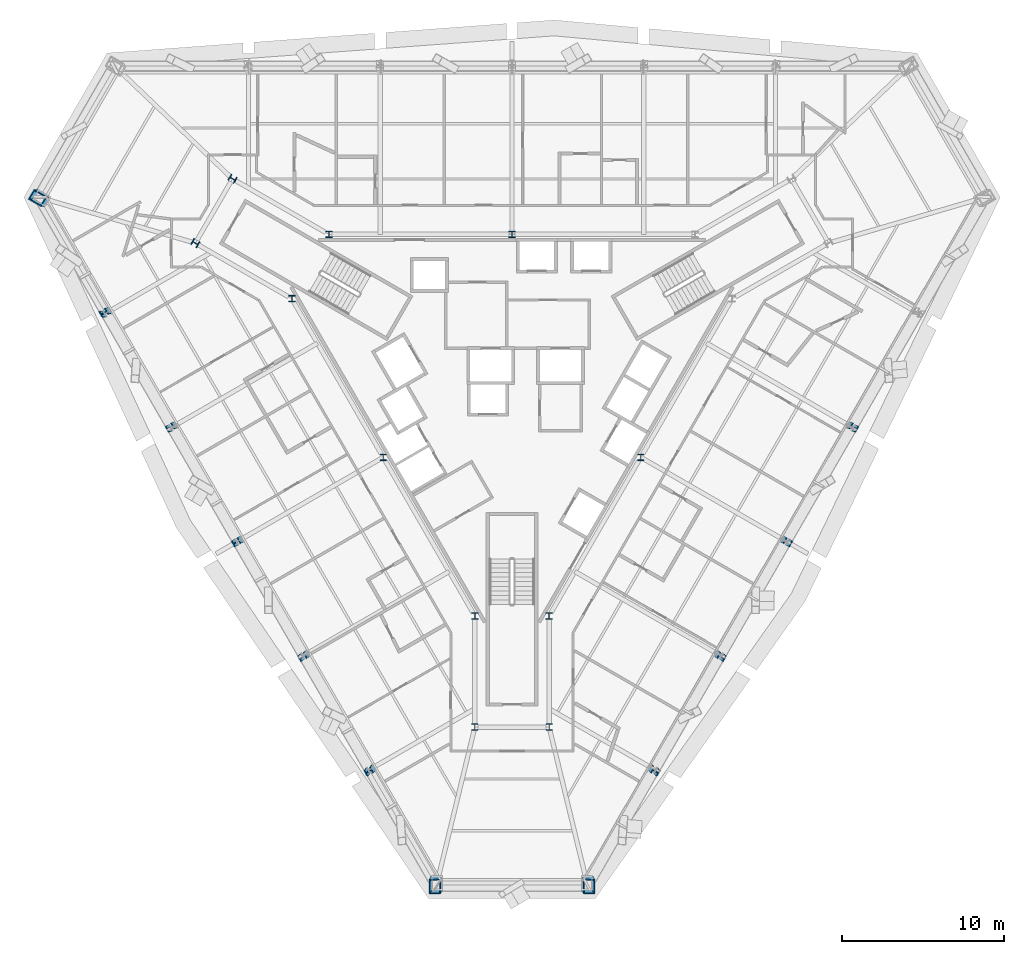
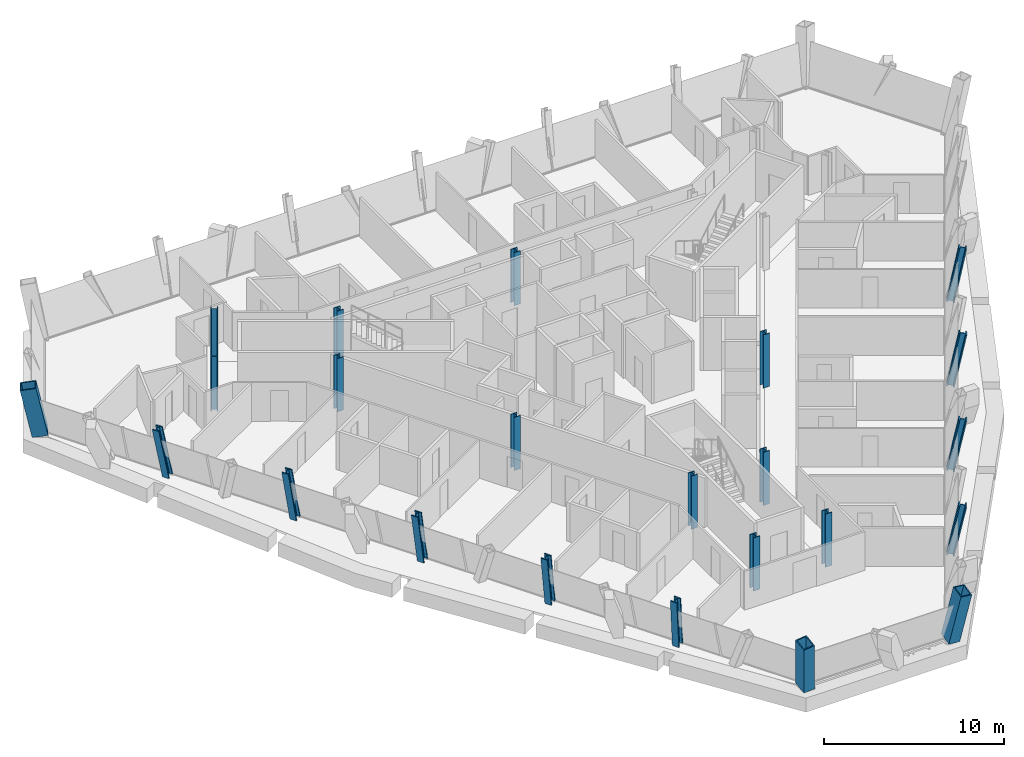
# One storey, part 1 of 14: 23 columns.
"""IFC4 building model written with IfcOpenShell, lengths in metres."""

from ifc_helpers import new_model, si_unit, direction, frame, origin, origin_2d, place, context, subcontext, project, spatial, hollow_rectangle, i_section, extrude, material, material_profile, profile_set, type_object, element, save


model = new_model("IFC4")

# Units and contexts
model_context = context("Model", 3, precision=1e-05, world=origin(), true_north=direction((0.0, 1.0)))
body_context = subcontext(model_context, "Body", "Model", "MODEL_VIEW")
ifc_project = project(units=[si_unit("LENGTHUNIT", "METRE"), si_unit("AREAUNIT", "SQUARE_METRE"), si_unit("VOLUMEUNIT", "CUBIC_METRE"), si_unit("PLANEANGLEUNIT", "RADIAN"), si_unit("MASSUNIT", "GRAM", prefix="KILO")], contexts=[model_context])

# Site, building, storey
site_placement = place(None, origin())
site = spatial("IfcSite", under=ifc_project, at=site_placement, CompositionType="ELEMENT")
building_placement = place(site_placement, origin())
building = spatial("IfcBuilding", under=site, at=building_placement, Name="Verrane Prism Tower", CompositionType="ELEMENT")
storey_placement = place(building_placement, frame((0.0, 0.0, 128.800048828125)))
storey = spatial("IfcBuildingStorey", under=building, at=storey_placement, Name="L31", CompositionType="ELEMENT", Elevation=128.800048828125)

# Columns
ifc_material_1 = material(Name="Steel A992", Category="steel")
ifc_material_profile_1 = material_profile(ifc_material_1, i_section(OverallWidth=0.411376953125, OverallDepth=0.434326171875, WebThickness=0.035888671875, FlangeThickness=0.057373046875, FilletRadius=0.01513671875, at=origin_2d()), Name="W14x311")
ifc_profile_set_1 = profile_set([ifc_material_profile_1], Name="Steel A992")
column_type_1 = type_object("IfcColumnType", Name="Core corner column W14x311", PredefinedType="COLUMN", material=ifc_profile_set_1)
for number, where, z_axis, x_axis, name in (
    (1, (-17.300048828125, 12.639892578125, 0.0), (0.0, 0.0, 1.0), (0.5, 0.866025403784, 0.0), "Core corner column CK-NWm L31"),
    (2, (-19.60009765625, 8.659912109375, 0.0), (0.0, 0.0, 1.0), (0.5, 0.866025403784, 0.0), "Core corner column CK-NWp L31"),
    (3, (-2.300048828125, -21.300048828125, 0.0), (0.0, 0.0, 1.0), (-1.0, 0.0, 0.0), "Core corner column CK-Sm L31"),
    (4, (2.300048828125, -21.300048828125, 0.0), (0.0, 0.0, 1.0), (-1.0, 0.0, 0.0), "Core corner column CK-Sp L31"),
):
    element("IfcColumn", number, at=place(storey_placement, frame(where, z_axis=z_axis, x_axis=x_axis)), inside=storey, type_object=column_type_1, Name=name, PredefinedType="COLUMN", context=body_context, shape_type="SweptSolid", body=[
        extrude(i_section(OverallWidth=0.411376953125, OverallDepth=0.434326171875, WebThickness=0.035888671875, FlangeThickness=0.057373046875, FilletRadius=0.01513671875, at=origin_2d()), origin(), (0.0, 0.0, 1.0), 3.599853515625),
    ])
ifc_material_2 = material(Name="Steel A992", Category="steel")
ifc_material_profile_2 = material_profile(ifc_material_2, i_section(OverallWidth=0.4013671875, OverallDepth=0.398681640625, WebThickness=0.02490234375, FlangeThickness=0.03955078125, FilletRadius=0.01513671875, at=origin_2d()), Name="W14x211")
ifc_profile_set_2 = profile_set([ifc_material_profile_2], Name="Steel A992")
column_type_2 = type_object("IfcColumnType", Name="Core side column W14x211", PredefinedType="COLUMN", material=ifc_profile_set_2)
for number, where, z_axis, x_axis, name in (
    (5, (0.0, 9.199951171875, 0.0), (0.0, 0.0, 1.0), (1.0, 0.0, 0.0), "Core side column CC-N0 L31"),
    (6, (-11.330078125, 9.199951171875, 0.0), (0.0, 0.0, 1.0), (1.0, 0.0, 0.0), "Core side column CC-NWm L31"),
    (7, (-13.6298828125, 5.219970703125, 0.0), (0.0, 0.0, 1.0), (1.0, 0.0, 0.0), "Core side column CC-NWp L31"),
    (8, (-7.969970703125, -4.60009765625, 0.0), (0.0, 0.0, 1.0), (1.0, 0.0, 0.0), "Core side column CC-SW0 L31"),
    (9, (-2.300048828125, -14.419921875, 0.0), (0.0, 0.0, 1.0), (1.0, 0.0, 0.0), "Core side column CC-Sm L31"),
    (10, (2.300048828125, -14.419921875, 0.0), (0.0, 0.0, 1.0), (1.0, 0.0, 0.0), "Core side column CC-Sp L31"),
    (11, (7.969970703125, -4.60009765625, 0.0), (0.0, 0.0, 1.0), (1.0, 0.0, 0.0), "Core side column CC-SE0 L31"),
):
    element("IfcColumn", number, at=place(storey_placement, frame(where, z_axis=z_axis, x_axis=x_axis)), inside=storey, type_object=column_type_2, Name=name, PredefinedType="COLUMN", context=body_context, shape_type="SweptSolid", body=[
        extrude(i_section(OverallWidth=0.4013671875, OverallDepth=0.398681640625, WebThickness=0.02490234375, FlangeThickness=0.03955078125, FilletRadius=0.01513671875, at=origin_2d()), origin(), (0.0, 0.0, 1.0), 3.599853515625),
    ])
ifc_material_3 = material(Name="Steel A572 Grade 50", Category="steel")
ifc_material_profile_3 = material_profile(ifc_material_3, hollow_rectangle(XDim=0.699951171875, YDim=0.89990234375, WallThickness=0.06494140625, at=origin_2d()), Name="BOX 900x700x65")
ifc_profile_set_3 = profile_set([ifc_material_profile_3], Name="Steel A572 Grade 50")
column_type_3 = type_object("IfcColumnType", Name="Megacolumn BOX 900x700x65", PredefinedType="COLUMN", material=ifc_profile_set_3)
column_1_placement = place(storey_placement, frame((-29.126953125, 11.449951171875, 0.074951171875), z_axis=(-0.219480980807, 0.0, 0.975616778794), x_axis=(0.496869692208, 0.860596286786, 0.111778978949)))
element("IfcColumn", 12, at=column_1_placement, inside=storey, type_object=column_type_3, Name="Megacolumn MC-NW.b L31", PredefinedType="COLUMN", context=body_context, shape_type="SweptSolid", body=[
    extrude(hollow_rectangle(XDim=0.699951171875, YDim=0.89990234375, WallThickness=0.06494140625, at=origin_2d()), origin(), (0.0, 0.0, 1.0), 3.5361328125),
])
for number, where, z_axis, x_axis, name in (
    (13, (-4.6484375, -30.95458984375, 0.074951171875), (-0.111145878735, -0.189707375629, 0.975529448696), (-0.993574797594, 0.000126172199, -0.113177319576), "Megacolumn MC-S.a L31"),
    (14, (4.6484375, -30.95458984375, 0.074951171875), (0.111145878735, -0.189707375629, 0.975529448696), (-0.993574797594, -0.000126172199, 0.113177319576), "Megacolumn MC-S.b L31"),
):
    element("IfcColumn", number, at=place(storey_placement, frame(where, z_axis=z_axis, x_axis=x_axis)), inside=storey, type_object=column_type_3, Name=name, PredefinedType="COLUMN", context=body_context, shape_type="SweptSolid", body=[
        extrude(hollow_rectangle(XDim=0.699951171875, YDim=0.89990234375, WallThickness=0.06494140625, at=origin_2d()), origin(), (0.0, 0.0, 1.0), 3.536376953125),
    ])
ifc_material_4 = material(Name="Steel A992", Category="steel")
ifc_material_profile_4 = material_profile(ifc_material_4, i_section(OverallWidth=0.419189453125, OverallDepth=0.45458984375, WebThickness=0.042236328125, FlangeThickness=0.067626953125, FilletRadius=0.01513671875, at=origin_2d()), Name="W14x370")
ifc_profile_set_4 = profile_set([ifc_material_profile_4], Name="Steel A992")
column_type_4 = type_object("IfcColumnType", Name="Perimeter column W14x370", PredefinedType="COLUMN", material=ifc_profile_set_4)
column_2_placement = place(storey_placement, frame((-25.048095703125, 4.37890625, 0.0400390625), z_axis=(-0.201275064079, -0.029946795971, 0.979076880531), x_axis=(-0.498664123801, 0.863447944319, -0.076103476176)))
element("IfcColumn", 15, at=column_2_placement, inside=storey, type_object=column_type_4, Name="Perimeter column PC-SW1 L31", PredefinedType="COLUMN", context=body_context, shape_type="SweptSolid", body=[
    extrude(i_section(OverallWidth=0.419189453125, OverallDepth=0.45458984375, WebThickness=0.042236328125, FlangeThickness=0.067626953125, FilletRadius=0.01513671875, at=origin_2d()), origin(), (0.0, 0.0, 1.0), 3.59521484375),
])
column_3_placement = place(storey_placement, frame((-20.96728515625, -2.6826171875, 0.0400390625), z_axis=(-0.18265232026, -0.062676150134, 0.981177777015), x_axis=(-0.499535766842, 0.865472257466, -0.037706620133)))
element("IfcColumn", 16, at=column_3_placement, inside=storey, type_object=column_type_4, Name="Perimeter column PC-SW2 L31", PredefinedType="COLUMN", context=body_context, shape_type="SweptSolid", body=[
    extrude(i_section(OverallWidth=0.419189453125, OverallDepth=0.45458984375, WebThickness=0.042236328125, FlangeThickness=0.067626953125, FilletRadius=0.01513671875, at=origin_2d()), origin(), (0.0, 0.0, 1.0), 3.587646484375),
])
column_4_placement = place(storey_placement, frame((-16.885986328125, -9.743408203125, 0.034912109375), z_axis=(-0.166257050151, -0.0981255896, 0.981188035975), x_axis=(-0.500024449769, 0.866009245638, 0.001880452815)))
element("IfcColumn", 17, at=column_4_placement, inside=storey, type_object=column_type_4, Name="Perimeter column PC-SW3 L31", PredefinedType="COLUMN", context=body_context, shape_type="SweptSolid", body=[
    extrude(i_section(OverallWidth=0.419189453125, OverallDepth=0.45458984375, WebThickness=0.042236328125, FlangeThickness=0.067626953125, FilletRadius=0.01513671875, at=origin_2d()), origin(), (0.0, 0.0, 1.0), 3.59765625),
])
column_5_placement = place(storey_placement, frame((-12.805908203125, -16.815185546875, 0.0400390625), z_axis=(-0.147138437405, -0.128091390491, 0.980786865695), x_axis=(-0.499727465286, 0.865346759384, 0.038045321162)))
element("IfcColumn", 18, at=column_5_placement, inside=storey, type_object=column_type_4, Name="Perimeter column PC-SW4 L31", PredefinedType="COLUMN", context=body_context, shape_type="SweptSolid", body=[
    extrude(i_section(OverallWidth=0.419189453125, OverallDepth=0.45458984375, WebThickness=0.042236328125, FlangeThickness=0.067626953125, FilletRadius=0.01513671875, at=origin_2d()), origin(), (0.0, 0.0, 1.0), 3.5888671875),
])
for number, where, z_axis, x_axis, name in (
    (19, (-8.72509765625, -23.876708984375, 0.0400390625), (-0.12782535095, -0.160341730719, 0.978749819435), (-0.498222088745, 0.863674981463, 0.076421702948), "Perimeter column PC-SW5 L31"),
    (20, (8.72509765625, -23.876708984375, 0.0400390625), (0.12782535095, -0.160341730719, 0.978749819435), (-0.498222088745, -0.863674981463, -0.076421702948), "Perimeter column PC-SE1 L31"),
):
    element("IfcColumn", number, at=place(storey_placement, frame(where, z_axis=z_axis, x_axis=x_axis)), inside=storey, type_object=column_type_4, Name=name, PredefinedType="COLUMN", context=body_context, shape_type="SweptSolid", body=[
        extrude(i_section(OverallWidth=0.419189453125, OverallDepth=0.45458984375, WebThickness=0.042236328125, FlangeThickness=0.067626953125, FilletRadius=0.01513671875, at=origin_2d()), origin(), (0.0, 0.0, 1.0), 3.596435546875),
    ])
column_6_placement = place(storey_placement, frame((12.805908203125, -16.815185546875, 0.0400390625), z_axis=(0.147138437405, -0.128091390491, 0.980786865695), x_axis=(-0.499727465286, -0.865346759384, -0.038045321162)))
element("IfcColumn", 21, at=column_6_placement, inside=storey, type_object=column_type_4, Name="Perimeter column PC-SE2 L31", PredefinedType="COLUMN", context=body_context, shape_type="SweptSolid", body=[
    extrude(i_section(OverallWidth=0.419189453125, OverallDepth=0.45458984375, WebThickness=0.042236328125, FlangeThickness=0.067626953125, FilletRadius=0.01513671875, at=origin_2d()), origin(), (0.0, 0.0, 1.0), 3.5888671875),
])
column_7_placement = place(storey_placement, frame((16.885986328125, -9.743408203125, 0.034912109375), z_axis=(0.166257050151, -0.0981255896, 0.981188035975), x_axis=(-0.500024449769, -0.866009245638, -0.001880452815)))
element("IfcColumn", 22, at=column_7_placement, inside=storey, type_object=column_type_4, Name="Perimeter column PC-SE3 L31", PredefinedType="COLUMN", context=body_context, shape_type="SweptSolid", body=[
    extrude(i_section(OverallWidth=0.419189453125, OverallDepth=0.45458984375, WebThickness=0.042236328125, FlangeThickness=0.067626953125, FilletRadius=0.01513671875, at=origin_2d()), origin(), (0.0, 0.0, 1.0), 3.59765625),
])
column_8_placement = place(storey_placement, frame((20.96728515625, -2.6826171875, 0.0400390625), z_axis=(0.18265232026, -0.062676150134, 0.981177777015), x_axis=(-0.499535766842, -0.865472257466, 0.037706620133)))
element("IfcColumn", 23, at=column_8_placement, inside=storey, type_object=column_type_4, Name="Perimeter column PC-SE4 L31", PredefinedType="COLUMN", context=body_context, shape_type="SweptSolid", body=[
    extrude(i_section(OverallWidth=0.419189453125, OverallDepth=0.45458984375, WebThickness=0.042236328125, FlangeThickness=0.067626953125, FilletRadius=0.01513671875, at=origin_2d()), origin(), (0.0, 0.0, 1.0), 3.587646484375),
])

save(model, "model.ifc")
